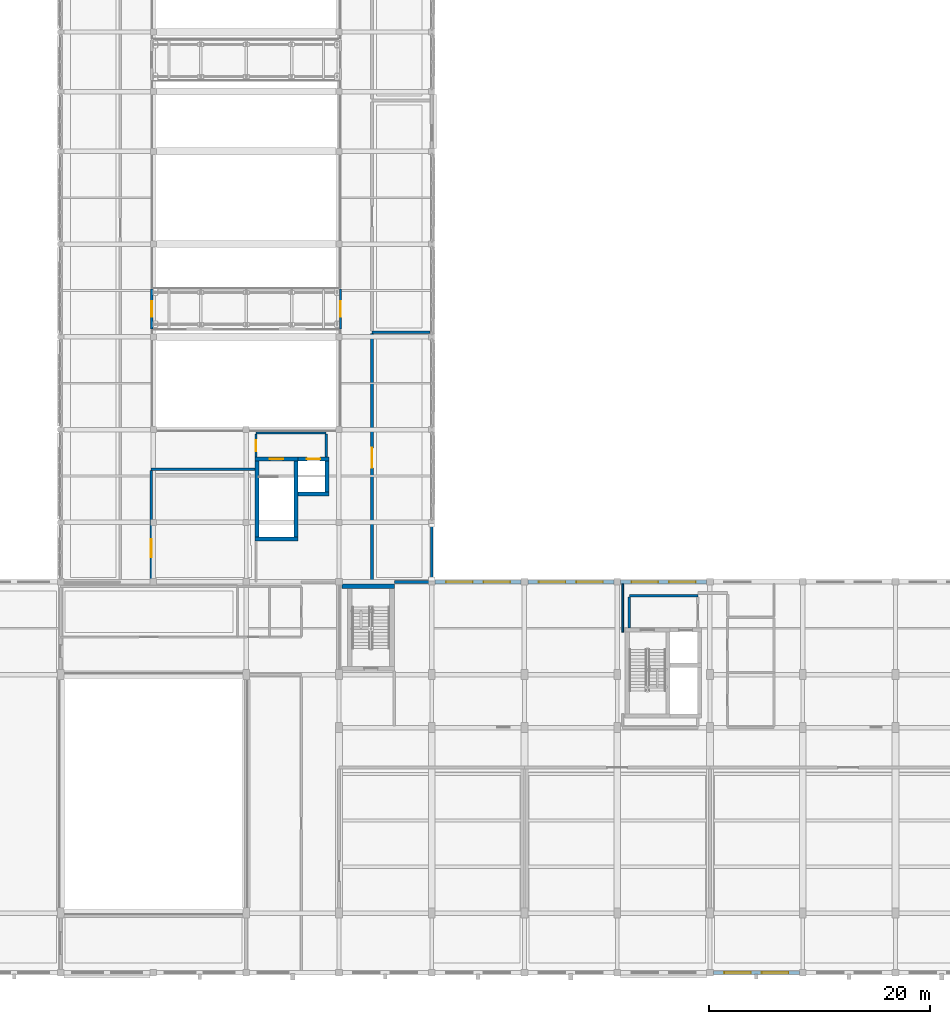
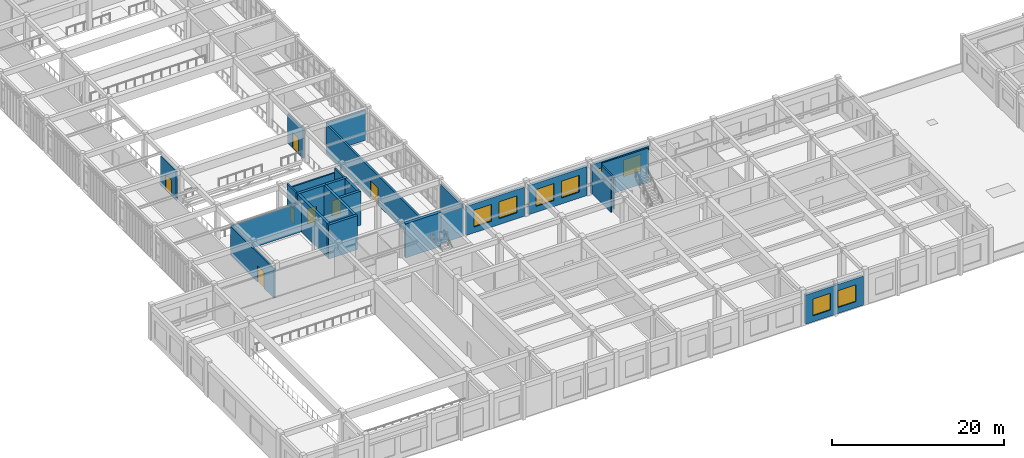
# One storey, part 58 of 77: 26 walls, 8 windows, 7 doors, 15 openings.
"""IFC4 building model written with IfcOpenShell, lengths in metres."""

from ifc_helpers import new_model, si_unit, direction, frame, frame_2d, origin, place, context, subcontext, project, spatial, rectangle, extrude, material, layer, layer_set, type_object, element, fill, save


model = new_model("IFC4")

# Units and contexts
model_context = context("Model", 3, precision=1e-05, world=origin(), true_north=direction((0.0, 1.0)))
body_context = subcontext(model_context, "Body", "Model", "MODEL_VIEW")
ifc_project = project(units=[si_unit("LENGTHUNIT", "METRE"), si_unit("AREAUNIT", "SQUARE_METRE"), si_unit("VOLUMEUNIT", "CUBIC_METRE"), si_unit("PLANEANGLEUNIT", "RADIAN"), si_unit("MASSUNIT", "GRAM", prefix="KILO")], contexts=[model_context])

# Site, building, storey
site_placement = place(None, origin())
site = spatial("IfcSite", under=ifc_project, at=site_placement, CompositionType="ELEMENT")
building_placement = place(site_placement, origin())
building = spatial("IfcBuilding", under=site, at=building_placement, Name="Krzemoval Escarpment Law Courts", CompositionType="ELEMENT")
storey_placement = place(building_placement, frame((0.0, 0.0, 15.300048828125)))
storey = spatial("IfcBuildingStorey", under=building, at=storey_placement, Name="L03", CompositionType="ELEMENT", Elevation=15.300048828125)

# Wall
ifc_material_1 = material(Name="Precast concrete C40/50", Category="concrete")
ifc_layer_1 = layer(ifc_material_1, 0.260009765625)
ifc_layer_set_1 = layer_set([ifc_layer_1], Name="Precast concrete C40/50")
wall_type_1 = type_object("IfcWallType", Name="WL-EXT-260", PredefinedType="SOLIDWALL", material=ifc_layer_set_1)
wall_1_placement = place(storey_placement, frame((42.0, 40.52490234375, 0.0), z_axis=(0.0, 0.0, 1.0), x_axis=(0.0, -1.0, 0.0)))
element("IfcWall", 1, at=wall_1_placement, inside=storey, type_object=wall_type_1, Name="Exterior Wall EW-L03-0334", PredefinedType="SOLIDWALL", context=body_context, shape_type="SweptSolid", body=[
    extrude(rectangle(XDim=4.824951171875, YDim=0.260009765625, at=frame_2d((2.41259765625, 0.0))), origin(), (0.0, 0.0, 1.0), 4.239990234375),
])

# Wall, openings, windows
ifc_material_2 = material(Name="Precast concrete C40/50", Category="concrete")
ifc_layer_2 = layer(ifc_material_2, 0.340087890625)
ifc_layer_set_2 = layer_set([ifc_layer_2], Name="Precast concrete C40/50")
wall_type_2 = type_object("IfcWallType", Name="WL-EXT-340", PredefinedType="SOLIDWALL", material=ifc_layer_set_2)
wall_2_placement = place(storey_placement, frame((42.300048828125, 35.39990234375, 0.0), z_axis=(0.0, 0.0, 1.0), x_axis=(1.0, 0.0, 0.0)))
wall_2 = element("IfcWall", 2, at=wall_2_placement, inside=storey, type_object=wall_type_2, Name="Exterior Wall EW-L03-0335", PredefinedType="SOLIDWALL", context=body_context, shape_type="SweptSolid", body=[
    extrude(rectangle(XDim=7.800048828125, YDim=0.340087890625, at=frame_2d((3.89990234375, 0.0))), origin(), (0.0, 0.0, 1.0), 4.139892578125),
])
opening_1_placement = place(wall_2_placement, frame((1.0, 0.0, 0.85009765625)))
opening_1 = element("IfcOpeningElement", 3, at=opening_1_placement, cuts=wall_2, Name="Opening WN-L03-0365", PredefinedType="OPENING", context=body_context, shape_type="SweptSolid", body=[
    extrude(rectangle(XDim=2.39990234375, YDim=2.39990234375, at=frame_2d((1.199951171875, 1.199951171875))), frame((0.0, 0.18504, 0.0), z_axis=(0.0, -1.0, 0.0), x_axis=(1.0, 0.0, 0.0)), (0.0, 0.0, 1.0), 0.37009),
])
opening_2_placement = place(wall_2_placement, frame((4.39990234375, 0.0, 0.85009765625)))
opening_2 = element("IfcOpeningElement", 4, at=opening_2_placement, cuts=wall_2, Name="Opening WN-L03-0366", PredefinedType="OPENING", context=body_context, shape_type="SweptSolid", body=[
    extrude(rectangle(XDim=2.39990234375, YDim=2.39990234375, at=frame_2d((1.199951171875, 1.199951171875))), frame((0.0, 0.18504, 0.0), z_axis=(0.0, -1.0, 0.0), x_axis=(1.0, 0.0, 0.0)), (0.0, 0.0, 1.0), 0.37009),
])
ifc_material_3 = material(Name="Thermally Broken Aluminium Frame with Triple Low-E Acoustic Glass", Category="aluminium")
window_type = type_object("IfcWindowType", Name="WN-2400x2400", PartitioningType="SINGLE_PANEL", PredefinedType="WINDOW", material=ifc_material_3)
window_1_placement = place(opening_1_placement, origin())
window_1 = element("IfcWindow", 5, at=window_1_placement, inside=storey, type_object=window_type, Name="Facade Window WN-L03-0365", OverallHeight=2.39990234375, OverallWidth=2.39990234375, PartitioningType="SINGLE_PANEL", PredefinedType="WINDOW", context=body_context, shape_type="SweptSolid", body=[
    extrude(rectangle(XDim=2.39990234375, YDim=2.39990234375, at=frame_2d((1.199951171875, 1.199951171875))), frame((0.0, 0.030029296875, 0.0), z_axis=(0.0, -1.0, 0.0), x_axis=(1.0, 0.0, 0.0)), (0.0, 0.0, 1.0), 0.06005859375),
])
fill(opening_1, window_1)
window_2_placement = place(opening_2_placement, origin())
window_2 = element("IfcWindow", 6, at=window_2_placement, inside=storey, type_object=window_type, Name="Facade Window WN-L03-0366", OverallHeight=2.39990234375, OverallWidth=2.39990234375, PartitioningType="SINGLE_PANEL", PredefinedType="WINDOW", context=body_context, shape_type="SweptSolid", body=[
    extrude(rectangle(XDim=2.39990234375, YDim=2.39990234375, at=frame_2d((1.199951171875, 1.199951171875))), frame((0.0, 0.030029296875, 0.0), z_axis=(0.0, -1.0, 0.0), x_axis=(1.0, 0.0, 0.0)), (0.0, 0.0, 1.0), 0.06005859375),
])
fill(opening_2, window_2)

wall_3_placement = place(storey_placement, frame((50.699951171875, 35.39990234375, 0.0), z_axis=(0.0, 0.0, 1.0), x_axis=(1.0, 0.0, 0.0)))
wall_3 = element("IfcWall", 7, at=wall_3_placement, inside=storey, type_object=wall_type_2, Name="Exterior Wall EW-L03-0336", PredefinedType="SOLIDWALL", context=body_context, shape_type="SweptSolid", body=[
    extrude(rectangle(XDim=7.800048828125, YDim=0.340087890625, at=frame_2d((3.89990234375, 0.0))), origin(), (0.0, 0.0, 1.0), 4.139892578125),
])
opening_3_placement = place(wall_3_placement, frame((1.0, 0.0, 0.85009765625)))
opening_3 = element("IfcOpeningElement", 8, at=opening_3_placement, cuts=wall_3, Name="Opening WN-L03-0367", PredefinedType="OPENING", context=body_context, shape_type="SweptSolid", body=[
    extrude(rectangle(XDim=2.39990234375, YDim=2.39990234375, at=frame_2d((1.199951171875, 1.199951171875))), frame((0.0, 0.18504, 0.0), z_axis=(0.0, -1.0, 0.0), x_axis=(1.0, 0.0, 0.0)), (0.0, 0.0, 1.0), 0.37009),
])
opening_4_placement = place(wall_3_placement, frame((4.39990234375, 0.0, 0.85009765625)))
opening_4 = element("IfcOpeningElement", 9, at=opening_4_placement, cuts=wall_3, Name="Opening WN-L03-0368", PredefinedType="OPENING", context=body_context, shape_type="SweptSolid", body=[
    extrude(rectangle(XDim=2.39990234375, YDim=2.39990234375, at=frame_2d((1.199951171875, 1.199951171875))), frame((0.0, 0.18504, 0.0), z_axis=(0.0, -1.0, 0.0), x_axis=(1.0, 0.0, 0.0)), (0.0, 0.0, 1.0), 0.37009),
])
window_3_placement = place(opening_3_placement, origin())
window_3 = element("IfcWindow", 10, at=window_3_placement, inside=storey, type_object=window_type, Name="Facade Window WN-L03-0367", OverallHeight=2.39990234375, OverallWidth=2.39990234375, PartitioningType="SINGLE_PANEL", PredefinedType="WINDOW", context=body_context, shape_type="SweptSolid", body=[
    extrude(rectangle(XDim=2.39990234375, YDim=2.39990234375, at=frame_2d((1.199951171875, 1.199951171875))), frame((0.0, 0.030029296875, 0.0), z_axis=(0.0, -1.0, 0.0), x_axis=(1.0, 0.0, 0.0)), (0.0, 0.0, 1.0), 0.06005859375),
])
fill(opening_3, window_3)
window_4_placement = place(opening_4_placement, origin())
window_4 = element("IfcWindow", 11, at=window_4_placement, inside=storey, type_object=window_type, Name="Facade Window WN-L03-0368", OverallHeight=2.39990234375, OverallWidth=2.39990234375, PartitioningType="SINGLE_PANEL", PredefinedType="WINDOW", context=body_context, shape_type="SweptSolid", body=[
    extrude(rectangle(XDim=2.39990234375, YDim=2.39990234375, at=frame_2d((1.199951171875, 1.199951171875))), frame((0.0, 0.030029296875, 0.0), z_axis=(0.0, -1.0, 0.0), x_axis=(1.0, 0.0, 0.0)), (0.0, 0.0, 1.0), 0.06005859375),
])
fill(opening_4, window_4)

wall_4_placement = place(storey_placement, frame((59.10009765625, 35.39990234375, 0.0), z_axis=(0.0, 0.0, 1.0), x_axis=(1.0, 0.0, 0.0)))
wall_4 = element("IfcWall", 12, at=wall_4_placement, inside=storey, type_object=wall_type_2, Name="Exterior Wall EW-L03-0337", PredefinedType="SOLIDWALL", context=body_context, shape_type="SweptSolid", body=[
    extrude(rectangle(XDim=7.7998046875, YDim=0.340087890625, at=frame_2d((3.89990234375, 0.0))), origin(), (0.0, 0.0, 1.0), 4.139892578125),
])
opening_5_placement = place(wall_4_placement, frame((1.0, 0.0, 0.85009765625)))
opening_5 = element("IfcOpeningElement", 13, at=opening_5_placement, cuts=wall_4, Name="Opening WN-L03-0369", PredefinedType="OPENING", context=body_context, shape_type="SweptSolid", body=[
    extrude(rectangle(XDim=2.39990234375, YDim=2.39990234375, at=frame_2d((1.199951171875, 1.199951171875))), frame((0.0, 0.18504, 0.0), z_axis=(0.0, -1.0, 0.0), x_axis=(1.0, 0.0, 0.0)), (0.0, 0.0, 1.0), 0.37009),
])
opening_6_placement = place(wall_4_placement, frame((4.39990234375, 0.0, 0.85009765625)))
opening_6 = element("IfcOpeningElement", 14, at=opening_6_placement, cuts=wall_4, Name="Opening WN-L03-0370", PredefinedType="OPENING", context=body_context, shape_type="SweptSolid", body=[
    extrude(rectangle(XDim=2.39990234375, YDim=2.39990234375, at=frame_2d((1.199951171875, 1.199951171875))), frame((0.0, 0.18504, 0.0), z_axis=(0.0, -1.0, 0.0), x_axis=(1.0, 0.0, 0.0)), (0.0, 0.0, 1.0), 0.37009),
])
window_5_placement = place(opening_5_placement, origin())
window_5 = element("IfcWindow", 15, at=window_5_placement, inside=storey, type_object=window_type, Name="Facade Window WN-L03-0369", OverallHeight=2.39990234375, OverallWidth=2.39990234375, PartitioningType="SINGLE_PANEL", PredefinedType="WINDOW", context=body_context, shape_type="SweptSolid", body=[
    extrude(rectangle(XDim=2.39990234375, YDim=2.39990234375, at=frame_2d((1.199951171875, 1.199951171875))), frame((0.0, 0.030029296875, 0.0), z_axis=(0.0, -1.0, 0.0), x_axis=(1.0, 0.0, 0.0)), (0.0, 0.0, 1.0), 0.06005859375),
])
fill(opening_5, window_5)
window_6_placement = place(opening_6_placement, origin())
window_6 = element("IfcWindow", 16, at=window_6_placement, inside=storey, type_object=window_type, Name="Facade Window WN-L03-0370", OverallHeight=2.39990234375, OverallWidth=2.39990234375, PartitioningType="SINGLE_PANEL", PredefinedType="WINDOW", context=body_context, shape_type="SweptSolid", body=[
    extrude(rectangle(XDim=2.39990234375, YDim=2.39990234375, at=frame_2d((1.199951171875, 1.199951171875))), frame((0.0, 0.030029296875, 0.0), z_axis=(0.0, -1.0, 0.0), x_axis=(1.0, 0.0, 0.0)), (0.0, 0.0, 1.0), 0.06005859375),
])
fill(opening_6, window_6)

wall_5_placement = place(storey_placement, frame((75.300048828125, 0.0, 0.0), z_axis=(0.0, 0.0, 1.0), x_axis=(-1.0, 0.0, 0.0)))
wall_5 = element("IfcWall", 17, at=wall_5_placement, inside=storey, type_object=wall_type_2, Name="Exterior Wall EW-L03-0347", PredefinedType="SOLIDWALL", context=body_context, shape_type="SweptSolid", body=[
    extrude(rectangle(XDim=7.800048828125, YDim=0.340087890625, at=frame_2d((3.89990234375, 0.0))), origin(), (0.0, 0.0, 1.0), 4.139892578125),
])
opening_7_placement = place(wall_5_placement, frame((1.0, 0.0, 0.85009765625)))
opening_7 = element("IfcOpeningElement", 18, at=opening_7_placement, cuts=wall_5, Name="Opening WN-L03-0386", PredefinedType="OPENING", context=body_context, shape_type="SweptSolid", body=[
    extrude(rectangle(XDim=2.39990234375, YDim=2.39990234375, at=frame_2d((1.199951171875, 1.199951171875))), frame((0.0, 0.18504, 0.0), z_axis=(0.0, -1.0, 0.0), x_axis=(1.0, 0.0, 0.0)), (0.0, 0.0, 1.0), 0.37009),
])
opening_8_placement = place(wall_5_placement, frame((4.39990234375, 0.0, 0.85009765625)))
opening_8 = element("IfcOpeningElement", 19, at=opening_8_placement, cuts=wall_5, Name="Opening WN-L03-0387", PredefinedType="OPENING", context=body_context, shape_type="SweptSolid", body=[
    extrude(rectangle(XDim=2.39990234375, YDim=2.39990234375, at=frame_2d((1.199951171875, 1.199951171875))), frame((0.0, 0.18504, 0.0), z_axis=(0.0, -1.0, 0.0), x_axis=(1.0, 0.0, 0.0)), (0.0, 0.0, 1.0), 0.37009),
])
window_7_placement = place(opening_7_placement, origin())
window_7 = element("IfcWindow", 20, at=window_7_placement, inside=storey, type_object=window_type, Name="Facade Window WN-L03-0386", OverallHeight=2.39990234375, OverallWidth=2.39990234375, PartitioningType="SINGLE_PANEL", PredefinedType="WINDOW", context=body_context, shape_type="SweptSolid", body=[
    extrude(rectangle(XDim=2.39990234375, YDim=2.39990234375, at=frame_2d((1.199951171875, 1.199951171875))), frame((0.0, 0.030029296875, 0.0), z_axis=(0.0, -1.0, 0.0), x_axis=(1.0, 0.0, 0.0)), (0.0, 0.0, 1.0), 0.06005859375),
])
fill(opening_7, window_7)
window_8_placement = place(opening_8_placement, origin())
window_8 = element("IfcWindow", 21, at=window_8_placement, inside=storey, type_object=window_type, Name="Facade Window WN-L03-0387", OverallHeight=2.39990234375, OverallWidth=2.39990234375, PartitioningType="SINGLE_PANEL", PredefinedType="WINDOW", context=body_context, shape_type="SweptSolid", body=[
    extrude(rectangle(XDim=2.39990234375, YDim=2.39990234375, at=frame_2d((1.199951171875, 1.199951171875))), frame((0.0, 0.030029296875, 0.0), z_axis=(0.0, -1.0, 0.0), x_axis=(1.0, 0.0, 0.0)), (0.0, 0.0, 1.0), 0.06005859375),
])
fill(opening_8, window_8)

# Wall
ifc_material_4 = material(Name="Jury Suite Partition Assembly", Category="gypsum")
ifc_layer_3 = layer(ifc_material_4, 0.159912109375)
ifc_layer_set_3 = layer_set([ifc_layer_3], Name="Jury Suite Partition Assembly")
wall_type_3 = type_object("IfcWallType", Name="WL-PRT-160", PredefinedType="PARTITIONING", material=ifc_layer_set_3)
wall_6_placement = place(storey_placement, frame((59.300048828125, 30.847900390625, 0.0), z_axis=(0.0, 0.0, 1.0), x_axis=(0.0, 1.0, 0.0)))
element("IfcWall", 22, at=wall_6_placement, inside=storey, type_object=wall_type_3, Name="Interior Partition PW-L03-0557", PredefinedType="PARTITIONING", context=body_context, shape_type="SweptSolid", body=[
    extrude(rectangle(XDim=4.380126953125, YDim=0.159912109375, at=frame_2d((2.18994140625, 0.0))), origin(), (0.0, 0.0, 1.0), 4.139892578125),
])

# Wall, opening, door
ifc_material_5 = material(Name="Fire-Rated Corridor Partition Wall", Category="gypsum")
ifc_layer_4 = layer(ifc_material_5, 0.199951171875)
ifc_layer_set_4 = layer_set([ifc_layer_4], Name="Fire-Rated Corridor Partition Wall")
wall_type_4 = type_object("IfcWallType", Name="WL-PRT-200", PredefinedType="PARTITIONING", material=ifc_layer_set_4)
wall_7_placement = place(storey_placement, frame((16.64990234375, 58.300048828125, 0.0), z_axis=(0.0, 0.0, 1.0), x_axis=(0.0, 1.0, 0.0)))
wall_7 = element("IfcWall", 23, at=wall_7_placement, inside=storey, type_object=wall_type_4, Name="Atrium Bridge Smoke Portal Wall PW-L03-0005", PredefinedType="PARTITIONING", context=body_context, shape_type="SweptSolid", body=[
    extrude(rectangle(XDim=3.6298828125, YDim=0.199951171875, at=frame_2d((1.81494140625, 0.0))), origin(), (0.0, 0.0, 1.0), 4.139892578125),
])
opening_9_placement = place(wall_7_placement, frame((1.114990234375, 0.0, 0.0)))
opening_9 = element("IfcOpeningElement", 24, at=opening_9_placement, cuts=wall_7, Name="Opening D-L03-0005", PredefinedType="OPENING", context=body_context, shape_type="SweptSolid", body=[
    extrude(rectangle(XDim=1.39990234375, YDim=2.199951171875, at=frame_2d((0.699951171875, 1.10009765625))), frame((0.0, 0.11498, 0.0), z_axis=(0.0, -1.0, 0.0), x_axis=(1.0, 0.0, 0.0)), (0.0, 0.0, 1.0), 0.22995),
])
ifc_material_6 = material(Name="Galvanised Steel S355", Category="steel")
door_type_1 = type_object("IfcDoorType", Name="DR-FFL-1400x2200", OperationType="SINGLE_SWING_LEFT", PredefinedType="DOOR", material=ifc_material_6)
door_1_placement = place(opening_9_placement, origin())
door_1 = element("IfcDoor", 25, at=door_1_placement, inside=storey, type_object=door_type_1, Name="Atrium Bridge Smoke Door D-L03-0005", OperationType="SINGLE_SWING_LEFT", OverallHeight=2.199951171875, OverallWidth=1.39990234375, PredefinedType="DOOR", context=body_context, shape_type="SweptSolid", body=[
    extrude(rectangle(XDim=1.39990234375, YDim=2.199951171875, at=frame_2d((0.699951171875, 1.10009765625))), frame((0.0, 0.02490234375, 0.0), z_axis=(0.0, -1.0, 0.0), x_axis=(1.0, 0.0, 0.0)), (0.0, 0.0, 1.0), 0.050048828125),
])
fill(opening_9, door_1)

wall_8_placement = place(storey_placement, frame((33.75, 58.300048828125, 0.0), z_axis=(0.0, 0.0, 1.0), x_axis=(0.0, 1.0, 0.0)))
wall_8 = element("IfcWall", 26, at=wall_8_placement, inside=storey, type_object=wall_type_4, Name="Atrium Bridge Smoke Portal Wall PW-L03-0006", PredefinedType="PARTITIONING", context=body_context, shape_type="SweptSolid", body=[
    extrude(rectangle(XDim=3.6298828125, YDim=0.199951171875, at=frame_2d((1.81494140625, 0.0))), origin(), (0.0, 0.0, 1.0), 4.139892578125),
])
opening_10_placement = place(wall_8_placement, frame((1.114990234375, 0.0, 0.0)))
opening_10 = element("IfcOpeningElement", 27, at=opening_10_placement, cuts=wall_8, Name="Opening D-L03-0006", PredefinedType="OPENING", context=body_context, shape_type="SweptSolid", body=[
    extrude(rectangle(XDim=1.39990234375, YDim=2.199951171875, at=frame_2d((0.699951171875, 1.10009765625))), frame((0.0, 0.11498, 0.0), z_axis=(0.0, -1.0, 0.0), x_axis=(1.0, 0.0, 0.0)), (0.0, 0.0, 1.0), 0.22995),
])
door_2_placement = place(opening_10_placement, origin())
door_2 = element("IfcDoor", 28, at=door_2_placement, inside=storey, type_object=door_type_1, Name="Atrium Bridge Smoke Door D-L03-0006", OperationType="SINGLE_SWING_LEFT", OverallHeight=2.199951171875, OverallWidth=1.39990234375, PredefinedType="DOOR", context=body_context, shape_type="SweptSolid", body=[
    extrude(rectangle(XDim=1.39990234375, YDim=2.199951171875, at=frame_2d((0.699951171875, 1.10009765625))), frame((0.0, 0.02490234375, 0.0), z_axis=(0.0, -1.0, 0.0), x_axis=(1.0, 0.0, 0.0)), (0.0, 0.0, 1.0), 0.050048828125),
])
fill(opening_10, door_2)

# Walls
wall_9_placement = place(storey_placement, frame((59.89990234375, 34.14990234375, 0.0), z_axis=(0.0, 0.0, 1.0), x_axis=(1.0, 0.0, 0.0)))
element("IfcWall", 29, at=wall_9_placement, inside=storey, type_object=wall_type_4, Name="Interior Partition PW-L03-0505", PredefinedType="PARTITIONING", context=body_context, shape_type="SweptSolid", body=[
    extrude(rectangle(XDim=6.2001953125, YDim=0.199951171875, at=frame_2d((3.10009765625, 0.0))), origin(), (0.0, 0.0, 1.0), 4.83984375),
])
wall_10_placement = place(storey_placement, frame((26.10009765625, 48.89990234375, 0.0), z_axis=(0.0, 0.0, 1.0), x_axis=(1.0, 0.0, 0.0)))
element("IfcWall", 30, at=wall_10_placement, inside=storey, type_object=wall_type_4, Name="Interior Partition PW-L03-0515", PredefinedType="PARTITIONING", context=body_context, shape_type="SweptSolid", body=[
    extrude(rectangle(XDim=6.349853515625, YDim=0.199951171875, at=frame_2d((3.1748046875, 0.0))), origin(), (0.0, 0.0, 1.0), 4.139892578125),
])

# Wall, opening, door
wall_11_placement = place(storey_placement, frame((26.10009765625, 46.701904296875, 0.0), z_axis=(0.0, 0.0, 1.0), x_axis=(0.0, 1.0, 0.0)))
wall_11 = element("IfcWall", 31, at=wall_11_placement, inside=storey, type_object=wall_type_4, Name="Interior Partition PW-L03-0541", PredefinedType="PARTITIONING", context=body_context, shape_type="SweptSolid", body=[
    extrude(rectangle(XDim=2.09619140625, YDim=0.199951171875, at=frame_2d((1.048095703125, 0.0))), origin(), (0.0, 0.0, 1.0), 4.83984375),
])
opening_11_placement = place(wall_11_placement, frame((0.548095703125, 0.0, 0.0)))
opening_11 = element("IfcOpeningElement", 32, at=opening_11_placement, cuts=wall_11, Name="Opening D-L03-0169", PredefinedType="OPENING", context=body_context, shape_type="SweptSolid", body=[
    extrude(rectangle(XDim=1.0, YDim=2.10009765625, at=frame_2d((0.5, 1.050048828125))), frame((0.0, 0.11498, 0.0), z_axis=(0.0, -1.0, 0.0), x_axis=(1.0, 0.0, 0.0)), (0.0, 0.0, 1.0), 0.22995),
])
ifc_material_7 = material(Name="Engineered Solid-Core Oak Acoustic Timber", Category="wood")
door_type_2 = type_object("IfcDoorType", Name="DR-INT-1000x2100", OperationType="SINGLE_SWING_LEFT", PredefinedType="DOOR", material=ifc_material_7)
door_3_placement = place(opening_11_placement, origin())
door_3 = element("IfcDoor", 33, at=door_3_placement, inside=storey, type_object=door_type_2, Name="Room Door D-L03-0169", OperationType="SINGLE_SWING_RIGHT", OverallHeight=2.10009765625, OverallWidth=1.0, PredefinedType="DOOR", context=body_context, shape_type="SweptSolid", body=[
    extrude(rectangle(XDim=1.0, YDim=2.10009765625, at=frame_2d((0.5, 1.050048828125))), frame((0.0, 0.02490234375, 0.0), z_axis=(0.0, -1.0, 0.0), x_axis=(1.0, 0.0, 0.0)), (0.0, 0.0, 1.0), 0.050048828125),
])
fill(opening_11, door_3)

# Walls
wall_12_placement = place(storey_placement, frame((32.449951171875, 46.701904296875, 0.0), z_axis=(0.0, 0.0, 1.0), x_axis=(0.0, 1.0, 0.0)))
element("IfcWall", 34, at=wall_12_placement, inside=storey, type_object=wall_type_4, Name="Interior Partition PW-L03-0546", PredefinedType="PARTITIONING", context=body_context, shape_type="SweptSolid", body=[
    extrude(rectangle(XDim=2.09619140625, YDim=0.199951171875, at=frame_2d((1.048095703125, 0.0))), origin(), (0.0, 0.0, 1.0), 4.83984375),
])
wall_13_placement = place(storey_placement, frame((59.89990234375, 31.23193359375, 0.0), z_axis=(0.0, 0.0, 1.0), x_axis=(0.0, 1.0, 0.0)))
element("IfcWall", 35, at=wall_13_placement, inside=storey, type_object=wall_type_4, Name="Interior Partition PW-L03-0558", PredefinedType="PARTITIONING", context=body_context, shape_type="SweptSolid", body=[
    extrude(rectangle(XDim=2.816162109375, YDim=0.199951171875, at=frame_2d((1.408203125, 0.0))), origin(), (0.0, 0.0, 1.0), 4.5400390625),
])
ifc_material_8 = material(Name="Solid Calcium-Silicate Custody Blockwork Partition", Category="masonry")
ifc_layer_5 = layer(ifc_material_8, 0.219970703125)
ifc_layer_set_5 = layer_set([ifc_layer_5], Name="Solid Calcium-Silicate Custody Blockwork Partition")
wall_type_5 = type_object("IfcWallType", Name="WL-PRT-220", PredefinedType="PARTITIONING", material=ifc_layer_set_5)
wall_14_placement = place(storey_placement, frame((16.60009765625, 45.60009765625, 0.0), z_axis=(0.0, 0.0, 1.0), x_axis=(1.0, 0.0, 0.0)))
element("IfcWall", 36, at=wall_14_placement, inside=storey, type_object=wall_type_5, Name="Interior Partition PW-L03-0514", PredefinedType="PARTITIONING", context=body_context, shape_type="SweptSolid", body=[
    extrude(rectangle(XDim=9.39794921875, YDim=0.219970703125, at=frame_2d((4.698974609375, 0.0))), origin(), (0.0, 0.0, 1.0), 4.139892578125),
])
ifc_material_9 = material(Name="Acoustic Courtroom Partition Assembly", Category="gypsum")
ifc_layer_6 = layer(ifc_material_9, 0.239990234375)
ifc_layer_set_6 = layer_set([ifc_layer_6], Name="Acoustic Courtroom Partition Assembly")
wall_type_6 = type_object("IfcWallType", Name="WL-PRT-240", PredefinedType="PARTITIONING", material=ifc_layer_set_6)
wall_15_placement = place(storey_placement, frame((36.60009765625, 58.0, 0.0), z_axis=(0.0, 0.0, 1.0), x_axis=(1.0, 0.0, 0.0)))
element("IfcWall", 37, at=wall_15_placement, inside=storey, type_object=wall_type_6, Name="Interior Partition PW-L03-0516", PredefinedType="PARTITIONING", context=body_context, shape_type="SweptSolid", body=[
    extrude(rectangle(XDim=5.264892578125, YDim=0.239990234375, at=frame_2d((2.63232421875, 0.0))), origin(), (0.0, 0.0, 1.0), 4.239990234375),
])

# Wall, opening, door
wall_16_placement = place(storey_placement, frame((16.60009765625, 35.39990234375, 0.0), z_axis=(0.0, 0.0, 1.0), x_axis=(0.0, 1.0, 0.0)))
wall_16 = element("IfcWall", 38, at=wall_16_placement, inside=storey, type_object=wall_type_6, Name="Interior Partition PW-L03-0536", PredefinedType="PARTITIONING", context=body_context, shape_type="SweptSolid", body=[
    extrude(rectangle(XDim=10.088134765625, YDim=0.239990234375, at=frame_2d((5.0439453125, 0.0))), origin(), (0.0, 0.0, 1.0), 4.139892578125),
])
opening_12_placement = place(wall_16_placement, frame((2.243896484375, 0.0, 0.0)))
opening_12 = element("IfcOpeningElement", 39, at=opening_12_placement, cuts=wall_16, Name="Opening D-L03-0191", PredefinedType="OPENING", context=body_context, shape_type="SweptSolid", body=[
    extrude(rectangle(XDim=1.60009765625, YDim=2.300048828125, at=frame_2d((0.800048828125, 1.14990234375))), frame((0.0, 0.135, 0.0), z_axis=(0.0, -1.0, 0.0), x_axis=(1.0, 0.0, 0.0)), (0.0, 0.0, 1.0), 0.26999),
])
ifc_material_10 = material(Name="Engineered Solid-Core Oak Acoustic Timber", Category="wood")
door_type_3 = type_object("IfcDoorType", Name="DR-CRT-1600x2300", OperationType="SINGLE_SWING_LEFT", PredefinedType="DOOR", material=ifc_material_10)
door_4_placement = place(opening_12_placement, origin())
door_4 = element("IfcDoor", 40, at=door_4_placement, inside=storey, type_object=door_type_3, Name="Room Door D-L03-0191", OperationType="SINGLE_SWING_LEFT", OverallHeight=2.300048828125, OverallWidth=1.60009765625, PredefinedType="DOOR", context=body_context, shape_type="SweptSolid", body=[
    extrude(rectangle(XDim=1.60009765625, YDim=2.300048828125, at=frame_2d((0.800048828125, 1.14990234375))), frame((0.0, 0.02490234375, 0.0), z_axis=(0.0, -1.0, 0.0), x_axis=(1.0, 0.0, 0.0)), (0.0, 0.0, 1.0), 0.050048828125),
])
fill(opening_12, door_4)

# Wall
ifc_material_11 = material(Name="Acoustic Double-Stud Gypsum and Mineral Wool Wall", Category="gypsum")
ifc_layer_7 = layer(ifc_material_11, 0.260009765625)
ifc_layer_set_7 = layer_set([ifc_layer_7], Name="Acoustic Double-Stud Gypsum and Mineral Wool Wall")
wall_type_7 = type_object("IfcWallType", Name="WL-PRT-260", PredefinedType="PARTITIONING", material=ifc_layer_set_7)
wall_17_placement = place(storey_placement, frame((38.6201171875, 35.39990234375, 0.0), z_axis=(0.0, 0.0, 1.0), x_axis=(1.0, 0.0, 0.0)))
element("IfcWall", 41, at=wall_17_placement, inside=storey, type_object=wall_type_7, Name="Interior Partition PW-L03-0513", PredefinedType="PARTITIONING", context=body_context, shape_type="SweptSolid", body=[
    extrude(rectangle(XDim=3.337890625, YDim=0.260009765625, at=frame_2d((1.6689453125, 0.0))), origin(), (0.0, 0.0, 1.0), 4.139892578125),
])

# Wall, opening, door
wall_18_placement = place(storey_placement, frame((36.60009765625, 35.39990234375, 0.0), z_axis=(0.0, 0.0, 1.0), x_axis=(0.0, 1.0, 0.0)))
wall_18 = element("IfcWall", 42, at=wall_18_placement, inside=storey, type_object=wall_type_7, Name="Interior Partition PW-L03-0551", PredefinedType="PARTITIONING", context=body_context, shape_type="SweptSolid", body=[
    extrude(rectangle(XDim=22.47802734375, YDim=0.260009765625, at=frame_2d((11.239013671875, 0.0))), origin(), (0.0, 0.0, 1.0), 4.139892578125),
])
opening_13_placement = place(wall_18_placement, frame((10.339111328125, 0.0, 0.0)))
opening_13 = element("IfcOpeningElement", 43, at=opening_13_placement, cuts=wall_18, Name="Opening D-L03-0192", PredefinedType="OPENING", context=body_context, shape_type="SweptSolid", body=[
    extrude(rectangle(XDim=1.800048828125, YDim=2.39990234375, at=frame_2d((0.89990234375, 1.199951171875))), frame((0.0, 0.145, 0.0), z_axis=(0.0, -1.0, 0.0), x_axis=(1.0, 0.0, 0.0)), (0.0, 0.0, 1.0), 0.29001),
])
ifc_material_12 = material(Name="Engineered Solid-Core Oak Acoustic Timber", Category="wood")
door_type_4 = type_object("IfcDoorType", Name="DR-CRT-1800x2400", OperationType="SINGLE_SWING_LEFT", PredefinedType="DOOR", material=ifc_material_12)
door_5_placement = place(opening_13_placement, origin())
door_5 = element("IfcDoor", 44, at=door_5_placement, inside=storey, type_object=door_type_4, Name="Room Door D-L03-0192", OperationType="SINGLE_SWING_LEFT", OverallHeight=2.39990234375, OverallWidth=1.800048828125, PredefinedType="DOOR", context=body_context, shape_type="SweptSolid", body=[
    extrude(rectangle(XDim=1.800048828125, YDim=2.39990234375, at=frame_2d((0.89990234375, 1.199951171875))), frame((0.0, 0.02490234375, 0.0), z_axis=(0.0, -1.0, 0.0), x_axis=(1.0, 0.0, 0.0)), (0.0, 0.0, 1.0), 0.050048828125),
])
fill(opening_13, door_5)

ifc_material_13 = material(Name="Concrete C40/50", Category="concrete")
ifc_layer_8 = layer(ifc_material_13, 0.35009765625)
ifc_layer_set_8 = layer_set([ifc_layer_8], Name="Concrete C40/50")
wall_type_8 = type_object("IfcWallType", Name="WL-SHW-350", PredefinedType="SHEAR", material=ifc_layer_set_8)
wall_19_placement = place(storey_placement, frame((26.0, 46.52490234375, 0.0), z_axis=(0.0, 0.0, 1.0), x_axis=(1.0, 0.0, 0.0)))
wall_19 = element("IfcWall", 45, at=wall_19_placement, inside=storey, type_object=wall_type_8, Name="Core Stair Shear Wall SW-L03-0533", PredefinedType="SHEAR", context=body_context, shape_type="SweptSolid", body=[
    extrude(rectangle(XDim=3.89990234375, YDim=0.35009765625, at=frame_2d((1.949951171875, 0.0))), origin(), (0.0, 0.0, 1.0), 4.83984375),
])
opening_14_placement = place(wall_19_placement, frame((1.35009765625, 0.0, 0.0)))
opening_14 = element("IfcOpeningElement", 46, at=opening_14_placement, cuts=wall_19, Name="Opening SD-ST5-L03", PredefinedType="OPENING", context=body_context, shape_type="SweptSolid", body=[
    extrude(rectangle(XDim=1.199951171875, YDim=2.199951171875, at=frame_2d((0.60009765625, 1.10009765625))), frame((0.0, 0.19005, 0.0), z_axis=(0.0, -1.0, 0.0), x_axis=(1.0, 0.0, 0.0)), (0.0, 0.0, 1.0), 0.3801),
])
ifc_material_14 = material(Name="Galvanised Steel S355", Category="steel")
door_type_5 = type_object("IfcDoorType", Name="DR-STR-1200x2200", OperationType="SINGLE_SWING_LEFT", PredefinedType="DOOR", material=ifc_material_14)
door_6_placement = place(opening_14_placement, origin())
door_6 = element("IfcDoor", 47, at=door_6_placement, inside=storey, type_object=door_type_5, Name="Stair Exit Door SD-ST5-L03", OperationType="SINGLE_SWING_LEFT", OverallHeight=2.199951171875, OverallWidth=1.199951171875, PredefinedType="DOOR", context=body_context, shape_type="SweptSolid", body=[
    extrude(rectangle(XDim=1.199951171875, YDim=2.199951171875, at=frame_2d((0.60009765625, 1.10009765625))), frame((0.0, 0.02490234375, 0.0), z_axis=(0.0, -1.0, 0.0), x_axis=(1.0, 0.0, 0.0)), (0.0, 0.0, 1.0), 0.050048828125),
])
fill(opening_14, door_6)

# Walls
wall_20_placement = place(storey_placement, frame((26.0, 39.27490234375, 0.0), z_axis=(0.0, 0.0, 1.0), x_axis=(1.0, 0.0, 0.0)))
element("IfcWall", 48, at=wall_20_placement, inside=storey, type_object=wall_type_8, Name="Core Stair Shear Wall SW-L03-0534", PredefinedType="SHEAR", context=body_context, shape_type="SweptSolid", body=[
    extrude(rectangle(XDim=3.89990234375, YDim=0.35009765625, at=frame_2d((1.949951171875, 0.0))), origin(), (0.0, 0.0, 1.0), 4.83984375),
])
for number, where, z_axis, x_axis, name in (
    (49, (26.175048828125, 39.451904296875, 0.0), (0.0, 0.0, 1.0), (0.0, 1.0, 0.0), "Core Stair Shear Wall SW-L03-0535"),
    (50, (29.72509765625, 39.451904296875, 0.0), (0.0, 0.0, 1.0), (0.0, 1.0, 0.0), "Core Stair Shear Wall SW-L03-0536"),
):
    element("IfcWall", number, at=place(storey_placement, frame(where, z_axis=z_axis, x_axis=x_axis)), inside=storey, type_object=wall_type_8, Name=name, PredefinedType="SHEAR", context=body_context, shape_type="SweptSolid", body=[
        extrude(rectangle(XDim=6.89599609375, YDim=0.35009765625, at=frame_2d((3.447998046875, 0.0))), origin(), (0.0, 0.0, 1.0), 4.83984375),
    ])
wall_21_placement = place(storey_placement, frame((29.902099609375, 43.375, 0.0), z_axis=(0.0, 0.0, 1.0), x_axis=(1.0, 0.0, 0.0)))
element("IfcWall", 51, at=wall_21_placement, inside=storey, type_object=wall_type_8, Name="Lift Shaft Shear Wall SW-L03-0537", PredefinedType="SHEAR", context=body_context, shape_type="SweptSolid", body=[
    extrude(rectangle(XDim=2.7978515625, YDim=0.35009765625, at=frame_2d((1.39892578125, 0.0))), origin(), (0.0, 0.0, 1.0), 4.83984375),
])

# Wall, opening, door
wall_22_placement = place(storey_placement, frame((29.89990234375, 46.52490234375, 0.0), z_axis=(0.0, 0.0, 1.0), x_axis=(1.0, 0.0, 0.0)))
wall_22 = element("IfcWall", 52, at=wall_22_placement, inside=storey, type_object=wall_type_8, Name="Lift Shaft Shear Wall SW-L03-0538", PredefinedType="SHEAR", context=body_context, shape_type="SweptSolid", body=[
    extrude(rectangle(XDim=2.800048828125, YDim=0.35009765625, at=frame_2d((1.39990234375, 0.0))), origin(), (0.0, 0.0, 1.0), 4.83984375),
])
opening_15_placement = place(wall_22_placement, frame((0.800048828125, 0.0, 0.0)))
opening_15 = element("IfcOpeningElement", 53, at=opening_15_placement, cuts=wall_22, Name="Opening LD-PL4-L03", PredefinedType="OPENING", context=body_context, shape_type="SweptSolid", body=[
    extrude(rectangle(XDim=1.199951171875, YDim=2.14990234375, at=frame_2d((0.60009765625, 1.074951171875))), frame((0.0, 0.19005, 0.0), z_axis=(0.0, -1.0, 0.0), x_axis=(1.0, 0.0, 0.0)), (0.0, 0.0, 1.0), 0.3801),
])
ifc_material_15 = material(Name="Engineered Solid-Core Oak Acoustic Timber", Category="wood")
door_type_6 = type_object("IfcDoorType", Name="DR-LFT-1200x2150", OperationType="SINGLE_SWING_LEFT", PredefinedType="DOOR", material=ifc_material_15)
door_7_placement = place(opening_15_placement, origin())
door_7 = element("IfcDoor", 54, at=door_7_placement, inside=storey, type_object=door_type_6, Name="Lift Landing Door LD-PL4-L03", OperationType="DOUBLE_DOOR_SLIDING", OverallHeight=2.14990234375, OverallWidth=1.199951171875, PredefinedType="DOOR", context=body_context, shape_type="SweptSolid", body=[
    extrude(rectangle(XDim=1.199951171875, YDim=2.14990234375, at=frame_2d((0.60009765625, 1.074951171875))), frame((0.0, 0.02490234375, 0.0), z_axis=(0.0, -1.0, 0.0), x_axis=(1.0, 0.0, 0.0)), (0.0, 0.0, 1.0), 0.050048828125),
])
fill(opening_15, door_7)

# Walls
wall_23_placement = place(storey_placement, frame((32.52490234375, 43.552001953125, 0.0), z_axis=(0.0, 0.0, 1.0), x_axis=(0.0, 1.0, 0.0)))
element("IfcWall", 55, at=wall_23_placement, inside=storey, type_object=wall_type_8, Name="Lift Shaft Shear Wall SW-L03-0539", PredefinedType="SHEAR", context=body_context, shape_type="SweptSolid", body=[
    extrude(rectangle(XDim=2.7958984375, YDim=0.35009765625, at=frame_2d((1.39794921875, 0.0))), origin(), (0.0, 0.0, 1.0), 4.83984375),
])
ifc_material_16 = material(Name="Concrete C40/50", Category="concrete")
ifc_layer_9 = layer(ifc_material_16, 0.419921875)
ifc_layer_set_9 = layer_set([ifc_layer_9], Name="Concrete C40/50")
wall_type_9 = type_object("IfcWallType", Name="WL-SHW-420", PredefinedType="SHEAR", material=ifc_layer_set_9)
wall_24_placement = place(storey_placement, frame((33.886962890625, 35.010009765625, 0.0), z_axis=(0.0, 0.0, 1.0), x_axis=(1.0, 0.0, 0.0)))
element("IfcWall", 56, at=wall_24_placement, inside=storey, type_object=wall_type_9, Name="Core Stair Shear Wall SW-L03-0611", PredefinedType="SHEAR", context=body_context, shape_type="SweptSolid", body=[
    extrude(rectangle(XDim=4.733154296875, YDim=0.419921875, at=frame_2d((2.36669921875, 0.0))), origin(), (0.0, 0.0, 1.0), 4.83984375),
])

save(model, "model.ifc")
